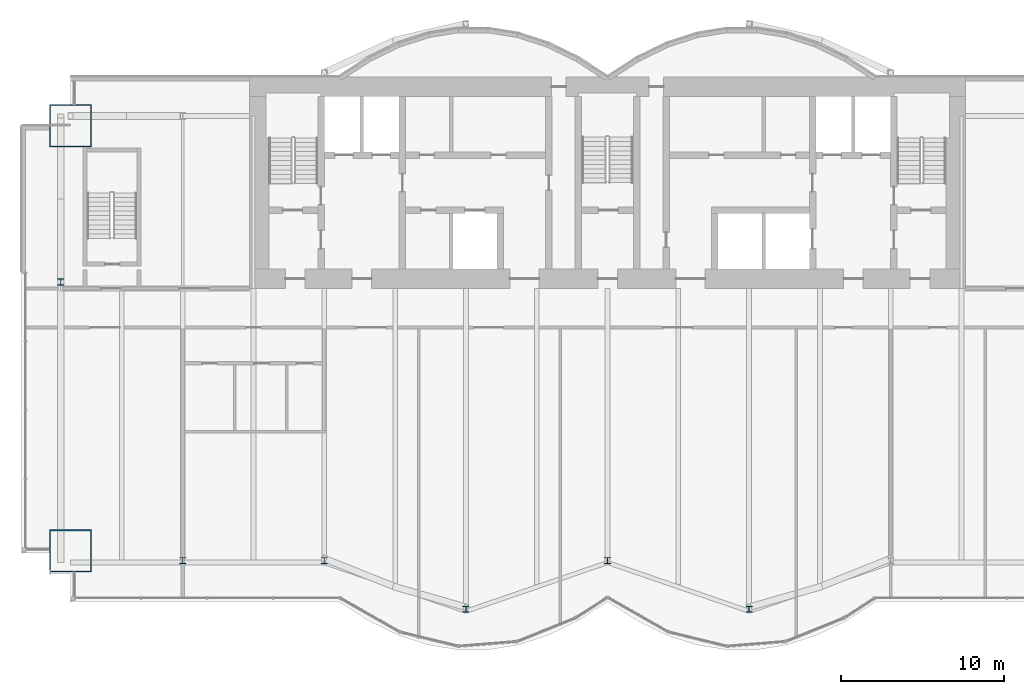
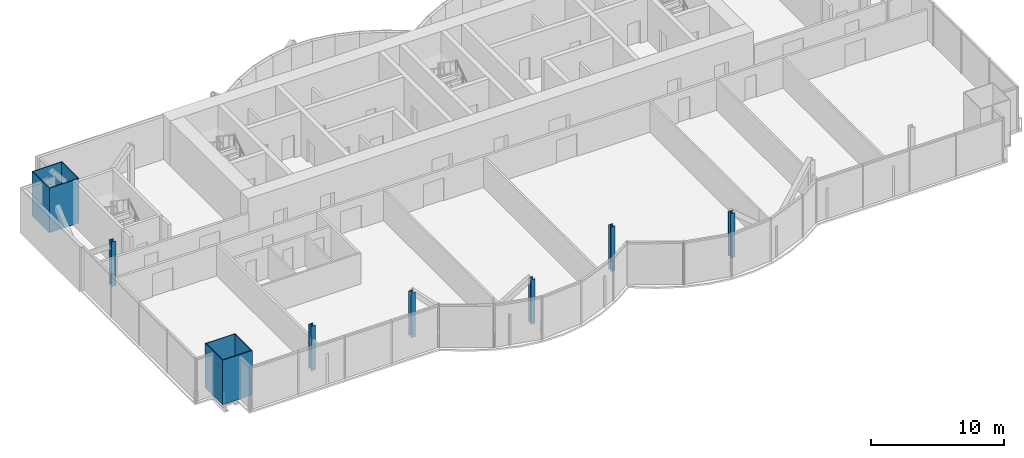
# One storey, part 1 of 20: 8 columns.
"""IFC4 building model written with IfcOpenShell, lengths in metres."""

from ifc_helpers import new_model, si_unit, direction, frame, origin, origin_2d, place, context, subcontext, project, spatial, hollow_rectangle, i_section, extrude, material, material_profile, profile_set, type_object, element, save


model = new_model("IFC4")

# Units and contexts
model_context = context("Model", 3, precision=1e-05, world=origin(), true_north=direction((0.0, 1.0)))
body_context = subcontext(model_context, "Body", "Model", "MODEL_VIEW")
ifc_project = project(units=[si_unit("LENGTHUNIT", "METRE"), si_unit("AREAUNIT", "SQUARE_METRE"), si_unit("VOLUMEUNIT", "CUBIC_METRE"), si_unit("PLANEANGLEUNIT", "RADIAN"), si_unit("MASSUNIT", "GRAM", prefix="KILO")], contexts=[model_context])

# Site, building, storey
site_placement = place(None, origin())
site = spatial("IfcSite", under=ifc_project, at=site_placement, CompositionType="ELEMENT")
building_placement = place(site_placement, origin())
building = spatial("IfcBuilding", under=site, at=building_placement, Name="Bicima Exchange Tower", CompositionType="ELEMENT")
storey_placement = place(building_placement, frame((0.0, 0.0, 207.300048828125)))
storey = spatial("IfcBuildingStorey", under=building, at=storey_placement, Name="L46", CompositionType="ELEMENT", Elevation=207.300048828125)

# Columns
ifc_material_1 = material(Name="Steel ASTM A572 Gr 50", Category="steel")
ifc_material_profile_1 = material_profile(ifc_material_1, hollow_rectangle(XDim=2.60009765625, YDim=2.60009765625, WallThickness=0.070068359375, at=origin_2d()))
ifc_profile_set_1 = profile_set([ifc_material_profile_1], Name="Steel ASTM A572 Gr 50")
column_type_1 = type_object("IfcColumnType", Name="Mega column BOX 2600x2600x70", PredefinedType="COLUMN", material=ifc_profile_set_1)
for number, where, z_axis, x_axis, name in (
    (1, (-33.0, -29.117919921875, 0.0), (0.0, 0.0, 1.0), (1.0, 0.0, 0.0), "Mega column mega-33.0f"),
    (2, (-33.0, -3.0, 0.0), (0.0, 0.0, 1.0), (1.0, 0.0, 0.0), "Mega column mega-33.0r"),
):
    element("IfcColumn", number, at=place(storey_placement, frame(where, z_axis=z_axis, x_axis=x_axis)), inside=storey, type_object=column_type_1, Name=name, PredefinedType="COLUMN", context=body_context, shape_type="SweptSolid", body=[
        extrude(hollow_rectangle(XDim=2.60009765625, YDim=2.60009765625, WallThickness=0.070068359375, at=origin_2d()), origin(), (0.0, 0.0, 1.0), 4.099853515625),
    ])
ifc_material_2 = material(Name="Steel ASTM A992 Gr 50", Category="steel")
ifc_material_profile_2 = material_profile(ifc_material_2, i_section(OverallWidth=0.373291015625, OverallDepth=0.373291015625, WebThickness=0.016357421875, FlangeThickness=0.026123046875, at=origin_2d()))
ifc_profile_set_2 = profile_set([ifc_material_profile_2], Name="Steel ASTM A992 Gr 50")
column_type_2 = type_object("IfcColumnType", Name="Perimeter column W14x132", PredefinedType="COLUMN", material=ifc_profile_set_2)
for number, where, z_axis, x_axis, name in (
    (3, (-26.10009765625, -29.718017578125, 0.0), (0.0, 0.0, 1.0), (1.0, 0.0, 0.0), "Perimeter column grav-26.1f"),
    (4, (-17.39990234375, -29.718017578125, 0.0), (0.0, 0.0, 1.0), (1.0, 0.0, 0.0), "Perimeter column grav-17.4f"),
    (5, (-8.699951171875, -32.708984375, 0.0), (0.0, 0.0, 1.0), (1.0, 0.0, 0.0), "Perimeter column grav-8.7f"),
    (6, (0.0, -29.718017578125, 0.0), (0.0, 0.0, 1.0), (1.0, 0.0, 0.0), "Perimeter column grav-0.0f"),
    (7, (8.699951171875, -32.708984375, 0.0), (0.0, 0.0, 1.0), (1.0, 0.0, 0.0), "Perimeter column grav+8.7f"),
    (8, (-33.60009765625, -12.60009765625, 0.0), (0.0, 0.0, 1.0), (1.0, 0.0, 0.0), "End column end-33.6e"),
):
    element("IfcColumn", number, at=place(storey_placement, frame(where, z_axis=z_axis, x_axis=x_axis)), inside=storey, type_object=column_type_2, Name=name, PredefinedType="COLUMN", context=body_context, shape_type="SweptSolid", body=[
        extrude(i_section(OverallWidth=0.373291015625, OverallDepth=0.373291015625, WebThickness=0.016357421875, FlangeThickness=0.026123046875, at=origin_2d()), origin(), (0.0, 0.0, 1.0), 4.099853515625),
    ])

save(model, "model.ifc")
